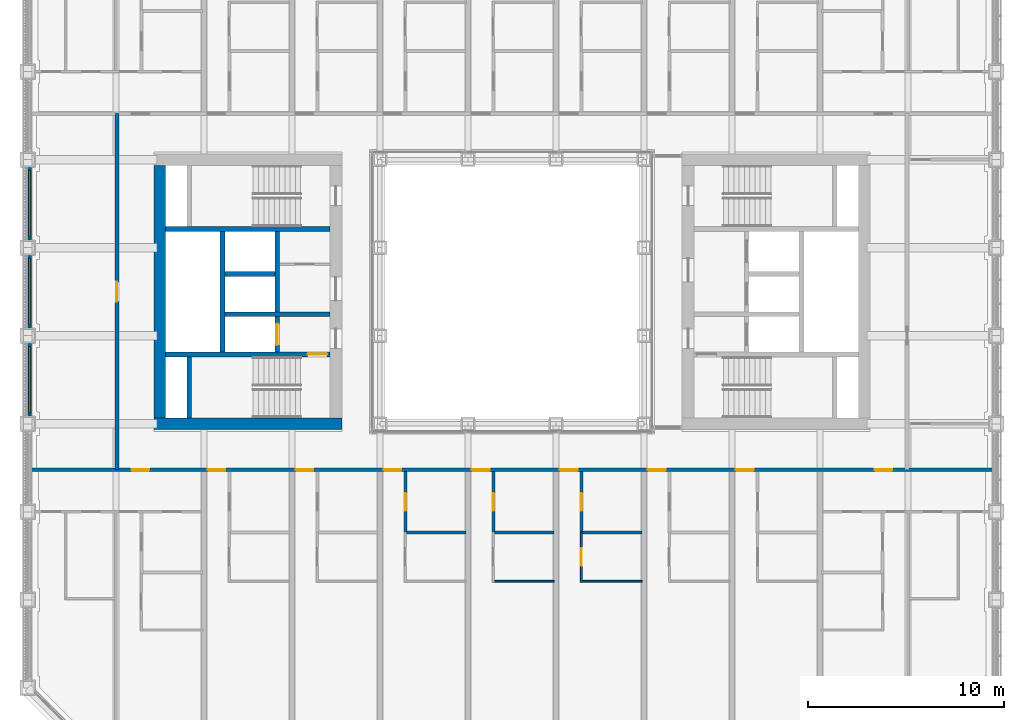
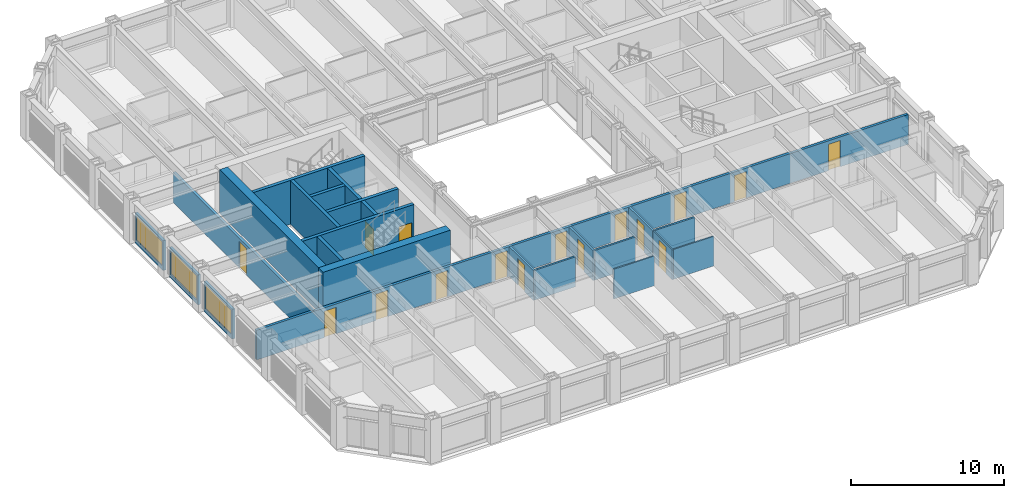
# One storey, part 10 of 21: 23 walls, 16 doors, 3 windows, 19 openings.
"""IFC4 building model written with IfcOpenShell, lengths in metres."""

from ifc_helpers import new_model, si_unit, direction, frame, frame_2d, origin, place, context, subcontext, project, spatial, rectangle, extrude, material, layer, layer_set, type_object, element, fill, save


model = new_model("IFC4")

# Units and contexts
model_context = context("Model", 3, precision=1e-05, world=origin(), true_north=direction((0.0, 1.0)))
body_context = subcontext(model_context, "Body", "Model", "MODEL_VIEW")
ifc_project = project(units=[si_unit("LENGTHUNIT", "METRE"), si_unit("AREAUNIT", "SQUARE_METRE"), si_unit("VOLUMEUNIT", "CUBIC_METRE"), si_unit("PLANEANGLEUNIT", "RADIAN"), si_unit("MASSUNIT", "GRAM", prefix="KILO")], contexts=[model_context])

# Site, building, storey
site_placement = place(None, origin())
site = spatial("IfcSite", under=ifc_project, at=site_placement, CompositionType="ELEMENT")
building_placement = place(site_placement, origin())
building = spatial("IfcBuilding", under=site, at=building_placement, Name="Msasa Ring Tower", CompositionType="ELEMENT")
storey_placement = place(building_placement, frame((0.0, 0.0, 30.0)))
storey = spatial("IfcBuildingStorey", under=building, at=storey_placement, Name="L06", CompositionType="ELEMENT", Elevation=30.0)

# Walls
ifc_material_1 = material(Name="Concrete C60/75", Category="concrete")
ifc_layer_1 = layer(ifc_material_1, 0.60009765625)
ifc_layer_set_1 = layer_set([ifc_layer_1], Name="CW1 CORE WALL 600")
wall_type_1 = type_object("IfcWallType", Name="CW1 CORE WALL 600", PredefinedType="SHEAR", material=ifc_layer_set_1)
wall_1_placement = place(storey_placement, frame((-8.699951171875, -6.75, 0.0), z_axis=(0.0, 0.0, 1.0), x_axis=(-1.0, 0.0, 0.0)))
element("IfcWall", 1, at=wall_1_placement, inside=storey, type_object=wall_type_1, Name="W core wall S L06", PredefinedType="SHEAR", context=body_context, shape_type="SweptSolid", body=[
    extrude(rectangle(XDim=9.60009765625, YDim=0.60009765625, at=frame_2d((4.800048828125, 0.0))), origin(), (0.0, 0.0, 1.0), 3.5),
])
wall_2_placement = place(storey_placement, frame((-18.0, -6.449951171875, 0.0), z_axis=(0.0, 0.0, 1.0), x_axis=(0.0, 1.0, 0.0)))
element("IfcWall", 2, at=wall_2_placement, inside=storey, type_object=wall_type_1, Name="W core wall E L06", PredefinedType="SHEAR", context=body_context, shape_type="SweptSolid", body=[
    extrude(rectangle(XDim=12.89990234375, YDim=0.60009765625, at=frame_2d((6.449951171875, 0.0))), origin(), (0.0, 0.0, 1.0), 3.5),
])

# Wall, opening, door
ifc_material_2 = material(Name="Concrete C60/75", Category="concrete")
ifc_layer_2 = layer(ifc_material_2, 0.25)
ifc_layer_set_2 = layer_set([ifc_layer_2], Name="CW4 CORE INNER WALL 250")
wall_type_2 = type_object("IfcWallType", Name="CW4 CORE INNER WALL 250", PredefinedType="SHEAR", material=ifc_layer_set_2)
wall_3_placement = place(storey_placement, frame((-9.300048828125, -3.199951171875, 0.0), z_axis=(0.0, 0.0, 1.0), x_axis=(-1.0, 0.0, 0.0)))
wall_3 = element("IfcWall", 3, at=wall_3_placement, inside=storey, type_object=wall_type_2, Name="W core wall STAIRA L06", PredefinedType="SHEAR", context=body_context, shape_type="SweptSolid", body=[
    extrude(rectangle(XDim=8.39990234375, YDim=0.25, at=frame_2d((4.199951171875, 0.0))), origin(), (0.0, 0.0, 1.0), 3.5),
])
opening_1_placement = place(wall_3_placement, frame((0.14990234375, 0.0, 0.0)))
opening_1 = element("IfcOpeningElement", 4, at=opening_1_placement, cuts=wall_3, Name="Opening RA-047", PredefinedType="OPENING", context=body_context, shape_type="SweptSolid", body=[
    extrude(rectangle(XDim=1.0, YDim=2.10009765625, at=frame_2d((0.5, 1.050048828125))), frame((0.0, 0.135009765625, 0.0), z_axis=(0.0, -1.0, 0.0), x_axis=(1.0, 0.0, 0.0)), (0.0, 0.0, 1.0), 0.27001953125),
])
ifc_material_3 = material(Name="Timber door leaf in a steel frame", Category="steel")
door_type_1 = type_object("IfcDoorType", Name="D6 STAIR DOOR 1000x2100", OperationType="SINGLE_SWING_LEFT", PredefinedType="DOOR", material=ifc_material_3)
door_1_placement = place(opening_1_placement, origin())
door_1 = element("IfcDoor", 5, at=door_1_placement, inside=storey, type_object=door_type_1, Name="Door L06-WSTA", OperationType="SINGLE_SWING_LEFT", OverallHeight=2.10009765625, OverallWidth=1.0, PredefinedType="DOOR", context=body_context, shape_type="SweptSolid", body=[
    extrude(rectangle(XDim=1.0, YDim=2.10009765625, at=frame_2d((0.5, 1.050048828125))), frame((0.0, 0.02490234375, 0.0), z_axis=(0.0, -1.0, 0.0), x_axis=(1.0, 0.0, 0.0)), (0.0, 0.0, 1.0), 0.050048828125),
])
fill(opening_1, door_1)

# Walls
wall_4_placement = place(storey_placement, frame((-9.300048828125, 3.199951171875, 0.0), z_axis=(0.0, 0.0, 1.0), x_axis=(-1.0, 0.0, 0.0)))
element("IfcWall", 6, at=wall_4_placement, inside=storey, type_object=wall_type_2, Name="W core wall STAIRB L06", PredefinedType="SHEAR", context=body_context, shape_type="SweptSolid", body=[
    extrude(rectangle(XDim=8.39990234375, YDim=0.25, at=frame_2d((4.199951171875, 0.0))), origin(), (0.0, 0.0, 1.0), 3.5),
])
wall_5_placement = place(storey_placement, frame((-16.5, -6.449951171875, 0.0), z_axis=(0.0, 0.0, 1.0), x_axis=(0.0, 1.0, 0.0)))
element("IfcWall", 7, at=wall_5_placement, inside=storey, type_object=wall_type_2, Name="W core wall RISERA L06", PredefinedType="SHEAR", context=body_context, shape_type="SweptSolid", body=[
    extrude(rectangle(XDim=3.125, YDim=0.25, at=frame_2d((1.5625, 0.0))), origin(), (0.0, 0.0, 1.0), 3.5),
])
wall_6_placement = place(storey_placement, frame((-9.300048828125, -1.14990234375, 0.0), z_axis=(0.0, 0.0, 1.0), x_axis=(-1.0, 0.0, 0.0)))
element("IfcWall", 8, at=wall_6_placement, inside=storey, type_object=wall_type_2, Name="W core wall FFL L06", PredefinedType="SHEAR", context=body_context, shape_type="SweptSolid", body=[
    extrude(rectangle(XDim=5.375, YDim=0.25, at=frame_2d((2.6875, 0.0))), origin(), (0.0, 0.0, 1.0), 3.5),
])

# Wall, opening, door
wall_7_placement = place(storey_placement, frame((-12.0, -3.074951171875, 0.0), z_axis=(0.0, 0.0, 1.0), x_axis=(0.0, 1.0, 0.0)))
wall_7 = element("IfcWall", 9, at=wall_7_placement, inside=storey, type_object=wall_type_2, Name="W core wall LOBBY L06", PredefinedType="SHEAR", context=body_context, shape_type="SweptSolid", body=[
    extrude(rectangle(XDim=6.14990234375, YDim=0.25, at=frame_2d((3.074951171875, 0.0))), origin(), (0.0, 0.0, 1.0), 3.5),
])
opening_2_placement = place(wall_7_placement, frame((0.35009765625, 0.0, 0.0)))
opening_2 = element("IfcOpeningElement", 10, at=opening_2_placement, cuts=wall_7, Name="Opening LD1", PredefinedType="OPENING", context=body_context, shape_type="SweptSolid", body=[
    extrude(rectangle(XDim=1.10009765625, YDim=2.10009765625, at=frame_2d((0.550048828125, 1.050048828125))), frame((0.0, 0.135009765625, 0.0), z_axis=(0.0, -1.0, 0.0), x_axis=(1.0, 0.0, 0.0)), (0.0, 0.0, 1.0), 0.27001953125),
])
ifc_material_4 = material(Name="Stainless steel lift landing door", Category="steel")
door_type_2 = type_object("IfcDoorType", Name="LD1 LIFT LANDING DOOR 1100x2100", OperationType="DOUBLE_DOOR_SLIDING", PredefinedType="DOOR", material=ifc_material_4)
door_2_placement = place(opening_2_placement, origin())
door_2 = element("IfcDoor", 11, at=door_2_placement, inside=storey, type_object=door_type_2, Name="Lift landing door FL-W L06", OperationType="DOUBLE_DOOR_SLIDING", OverallHeight=2.10009765625, OverallWidth=1.10009765625, PredefinedType="DOOR", context=body_context, shape_type="SweptSolid", body=[
    extrude(rectangle(XDim=1.10009765625, YDim=2.10009765625, at=frame_2d((0.550048828125, 1.050048828125))), frame((0.0, 0.02490234375, 0.0), z_axis=(0.0, -1.0, 0.0), x_axis=(1.0, 0.0, 0.0)), (0.0, 0.0, 1.0), 0.050048828125),
])
fill(opening_2, door_2)

# Walls
wall_8_placement = place(storey_placement, frame((-14.800048828125, -3.074951171875, 0.0), z_axis=(0.0, 0.0, 1.0), x_axis=(0.0, 1.0, 0.0)))
element("IfcWall", 12, at=wall_8_placement, inside=storey, type_object=wall_type_2, Name="W core wall SHAFT L06", PredefinedType="SHEAR", context=body_context, shape_type="SweptSolid", body=[
    extrude(rectangle(XDim=6.14990234375, YDim=0.25, at=frame_2d((3.074951171875, 0.0))), origin(), (0.0, 0.0, 1.0), 3.5),
])
wall_9_placement = place(storey_placement, frame((-12.125, 0.89990234375, 0.0), z_axis=(0.0, 0.0, 1.0), x_axis=(-1.0, 0.0, 0.0)))
element("IfcWall", 13, at=wall_9_placement, inside=storey, type_object=wall_type_2, Name="W core wall LIFT1 L06", PredefinedType="SHEAR", context=body_context, shape_type="SweptSolid", body=[
    extrude(rectangle(XDim=2.550048828125, YDim=0.25, at=frame_2d((1.27490234375, 0.0))), origin(), (0.0, 0.0, 1.0), 3.5),
])

# Wall, opening, window
ifc_material_5 = material(Name="Terracotta rainscreen on blockwork", Category="masonry")
ifc_layer_3 = layer(ifc_material_5, 0.199951171875)
ifc_layer_set_3 = layer_set([ifc_layer_3], Name="FW1 TERRACOTTA-LINED INFILL BAY WALL 200")
wall_type_3 = type_object("IfcWallType", Name="FW1 TERRACOTTA-LINED INFILL BAY WALL 200", PredefinedType="SOLIDWALL", material=ifc_layer_set_3)
wall_10_placement = place(storey_placement, frame((-24.64990234375, -6.344970703125, 0.0), z_axis=(0.0, 0.0, 1.0), x_axis=(0.0, 1.0, 0.0)))
wall_10 = element("IfcWall", 14, at=wall_10_placement, inside=storey, type_object=wall_type_3, Name="Infill bay wall W L06 36", PredefinedType="SOLIDWALL", context=body_context, shape_type="SweptSolid", body=[
    extrude(rectangle(XDim=3.68994140625, YDim=0.199951171875, at=frame_2d((1.844970703125, 0.0))), origin(), (0.0, 0.0, 1.0), 2.37890625),
])
opening_3_placement = place(wall_10_placement, frame((0.14501953125, 0.0, 0.300048828125)))
opening_3 = element("IfcOpeningElement", 15, at=opening_3_placement, cuts=wall_10, Name="Opening WN1", PredefinedType="OPENING", context=body_context, shape_type="SweptSolid", body=[
    extrude(rectangle(XDim=3.39990234375, YDim=1.928955078125, at=frame_2d((1.699951171875, 0.96435546875))), frame((0.0, 0.10986328125, 0.0), z_axis=(0.0, -1.0, 0.0), x_axis=(1.0, 0.0, 0.0)), (0.0, 0.0, 1.0), 0.219970703125),
])
ifc_material_6 = material(Name="Aluminium frame with clear glass", Category="aluminium")
window_type = type_object("IfcWindowType", Name="WN1 RESIDENCE WINDOW 3400x1929", PartitioningType="SINGLE_PANEL", PredefinedType="WINDOW", material=ifc_material_6)
window_1_placement = place(opening_3_placement, origin())
window_1 = element("IfcWindow", 16, at=window_1_placement, inside=storey, type_object=window_type, Name="Window W L06 36", OverallHeight=1.928955078125, OverallWidth=3.39990234375, PartitioningType="SINGLE_PANEL", PredefinedType="WINDOW", context=body_context, shape_type="SweptSolid", body=[
    extrude(rectangle(XDim=3.39990234375, YDim=1.928955078125, at=frame_2d((1.699951171875, 0.96435546875))), frame((0.0, 0.030029296875, 0.0), z_axis=(0.0, -1.0, 0.0), x_axis=(1.0, 0.0, 0.0)), (0.0, 0.0, 1.0), 0.06005859375),
])
fill(opening_3, window_1)

wall_11_placement = place(storey_placement, frame((-24.64990234375, -1.844970703125, 0.0), z_axis=(0.0, 0.0, 1.0), x_axis=(0.0, 1.0, 0.0)))
wall_11 = element("IfcWall", 17, at=wall_11_placement, inside=storey, type_object=wall_type_3, Name="Infill bay wall W L06 37", PredefinedType="SOLIDWALL", context=body_context, shape_type="SweptSolid", body=[
    extrude(rectangle(XDim=3.68994140625, YDim=0.199951171875, at=frame_2d((1.844970703125, 0.0))), origin(), (0.0, 0.0, 1.0), 2.37890625),
])
opening_4_placement = place(wall_11_placement, frame((0.14501953125, 0.0, 0.300048828125)))
opening_4 = element("IfcOpeningElement", 18, at=opening_4_placement, cuts=wall_11, Name="Opening WN1", PredefinedType="OPENING", context=body_context, shape_type="SweptSolid", body=[
    extrude(rectangle(XDim=3.39990234375, YDim=1.928955078125, at=frame_2d((1.699951171875, 0.96435546875))), frame((0.0, 0.10986328125, 0.0), z_axis=(0.0, -1.0, 0.0), x_axis=(1.0, 0.0, 0.0)), (0.0, 0.0, 1.0), 0.219970703125),
])
window_2_placement = place(opening_4_placement, origin())
window_2 = element("IfcWindow", 19, at=window_2_placement, inside=storey, type_object=window_type, Name="Window W L06 37", OverallHeight=1.928955078125, OverallWidth=3.39990234375, PartitioningType="SINGLE_PANEL", PredefinedType="WINDOW", context=body_context, shape_type="SweptSolid", body=[
    extrude(rectangle(XDim=3.39990234375, YDim=1.928955078125, at=frame_2d((1.699951171875, 0.96435546875))), frame((0.0, 0.030029296875, 0.0), z_axis=(0.0, -1.0, 0.0), x_axis=(1.0, 0.0, 0.0)), (0.0, 0.0, 1.0), 0.06005859375),
])
fill(opening_4, window_2)

wall_12_placement = place(storey_placement, frame((-24.64990234375, 2.655029296875, 0.0), z_axis=(0.0, 0.0, 1.0), x_axis=(0.0, 1.0, 0.0)))
wall_12 = element("IfcWall", 20, at=wall_12_placement, inside=storey, type_object=wall_type_3, Name="Infill bay wall W L06 38", PredefinedType="SOLIDWALL", context=body_context, shape_type="SweptSolid", body=[
    extrude(rectangle(XDim=3.68994140625, YDim=0.199951171875, at=frame_2d((1.844970703125, 0.0))), origin(), (0.0, 0.0, 1.0), 2.37890625),
])
opening_5_placement = place(wall_12_placement, frame((0.14501953125, 0.0, 0.300048828125)))
opening_5 = element("IfcOpeningElement", 21, at=opening_5_placement, cuts=wall_12, Name="Opening WN1", PredefinedType="OPENING", context=body_context, shape_type="SweptSolid", body=[
    extrude(rectangle(XDim=3.39990234375, YDim=1.928955078125, at=frame_2d((1.699951171875, 0.96435546875))), frame((0.0, 0.10986328125, 0.0), z_axis=(0.0, -1.0, 0.0), x_axis=(1.0, 0.0, 0.0)), (0.0, 0.0, 1.0), 0.219970703125),
])
window_3_placement = place(opening_5_placement, origin())
window_3 = element("IfcWindow", 22, at=window_3_placement, inside=storey, type_object=window_type, Name="Window W L06 38", OverallHeight=1.928955078125, OverallWidth=3.39990234375, PartitioningType="SINGLE_PANEL", PredefinedType="WINDOW", context=body_context, shape_type="SweptSolid", body=[
    extrude(rectangle(XDim=3.39990234375, YDim=1.928955078125, at=frame_2d((1.699951171875, 0.96435546875))), frame((0.0, 0.030029296875, 0.0), z_axis=(0.0, -1.0, 0.0), x_axis=(1.0, 0.0, 0.0)), (0.0, 0.0, 1.0), 0.06005859375),
])
fill(opening_5, window_3)

# Wall, openings, doors
ifc_material_7 = material(Name="Concrete blockwork", Category="masonry")
ifc_layer_4 = layer(ifc_material_7, 0.199951171875)
ifc_layer_set_4 = layer_set([ifc_layer_4], Name="PT1 CORRIDOR WALL 200")
wall_type_4 = type_object("IfcWallType", Name="PT1 CORRIDOR WALL 200", PredefinedType="PARTITIONING", material=ifc_layer_set_4)
wall_13_placement = place(storey_placement, frame((-24.550048828125, -9.10009765625, 0.0), z_axis=(0.0, 0.0, 1.0), x_axis=(1.0, 0.0, 0.0)))
wall_13 = element("IfcWall", 23, at=wall_13_placement, inside=storey, type_object=wall_type_4, Name="Corridor wall L06-CORRS0", PredefinedType="PARTITIONING", context=body_context, shape_type="SweptSolid", body=[
    extrude(rectangle(XDim=49.10009765625, YDim=0.199951171875, at=frame_2d((24.550048828125, 0.0))), origin(), (0.0, 0.0, 1.0), 2.373291015625),
])
opening_6_placement = place(wall_13_placement, frame((5.10009765625, 0.0, 0.0)))
opening_6 = element("IfcOpeningElement", 24, at=opening_6_placement, cuts=wall_13, Name="Opening RA-051", PredefinedType="OPENING", context=body_context, shape_type="SweptSolid", body=[
    extrude(rectangle(XDim=0.89990234375, YDim=2.10009765625, at=frame_2d((0.449951171875, 1.050048828125))), frame((0.0, 0.10986328125, 0.0), z_axis=(0.0, -1.0, 0.0), x_axis=(1.0, 0.0, 0.0)), (0.0, 0.0, 1.0), 0.219970703125),
])
opening_7_placement = place(wall_13_placement, frame((9.0, 0.0, 0.0)))
opening_7 = element("IfcOpeningElement", 25, at=opening_7_placement, cuts=wall_13, Name="Opening RA-052", PredefinedType="OPENING", context=body_context, shape_type="SweptSolid", body=[
    extrude(rectangle(XDim=0.89990234375, YDim=2.10009765625, at=frame_2d((0.449951171875, 1.050048828125))), frame((0.0, 0.10986328125, 0.0), z_axis=(0.0, -1.0, 0.0), x_axis=(1.0, 0.0, 0.0)), (0.0, 0.0, 1.0), 0.219970703125),
])
opening_8_placement = place(wall_13_placement, frame((13.5, 0.0, 0.0)))
opening_8 = element("IfcOpeningElement", 26, at=opening_8_placement, cuts=wall_13, Name="Opening RA-053", PredefinedType="OPENING", context=body_context, shape_type="SweptSolid", body=[
    extrude(rectangle(XDim=0.89990234375, YDim=2.10009765625, at=frame_2d((0.449951171875, 1.050048828125))), frame((0.0, 0.10986328125, 0.0), z_axis=(0.0, -1.0, 0.0), x_axis=(1.0, 0.0, 0.0)), (0.0, 0.0, 1.0), 0.219970703125),
])
opening_9_placement = place(wall_13_placement, frame((18.0, 0.0, 0.0)))
opening_9 = element("IfcOpeningElement", 27, at=opening_9_placement, cuts=wall_13, Name="Opening RA-054", PredefinedType="OPENING", context=body_context, shape_type="SweptSolid", body=[
    extrude(rectangle(XDim=0.89990234375, YDim=2.10009765625, at=frame_2d((0.449951171875, 1.050048828125))), frame((0.0, 0.10986328125, 0.0), z_axis=(0.0, -1.0, 0.0), x_axis=(1.0, 0.0, 0.0)), (0.0, 0.0, 1.0), 0.219970703125),
])
opening_10_placement = place(wall_13_placement, frame((22.5, 0.0, 0.0)))
opening_10 = element("IfcOpeningElement", 28, at=opening_10_placement, cuts=wall_13, Name="Opening RA-055", PredefinedType="OPENING", context=body_context, shape_type="SweptSolid", body=[
    extrude(rectangle(XDim=0.89990234375, YDim=2.10009765625, at=frame_2d((0.449951171875, 1.050048828125))), frame((0.0, 0.10986328125, 0.0), z_axis=(0.0, -1.0, 0.0), x_axis=(1.0, 0.0, 0.0)), (0.0, 0.0, 1.0), 0.219970703125),
])
opening_11_placement = place(wall_13_placement, frame((27.0, 0.0, 0.0)))
opening_11 = element("IfcOpeningElement", 29, at=opening_11_placement, cuts=wall_13, Name="Opening RA-056", PredefinedType="OPENING", context=body_context, shape_type="SweptSolid", body=[
    extrude(rectangle(XDim=0.89990234375, YDim=2.10009765625, at=frame_2d((0.449951171875, 1.050048828125))), frame((0.0, 0.10986328125, 0.0), z_axis=(0.0, -1.0, 0.0), x_axis=(1.0, 0.0, 0.0)), (0.0, 0.0, 1.0), 0.219970703125),
])
opening_12_placement = place(wall_13_placement, frame((31.5, 0.0, 0.0)))
opening_12 = element("IfcOpeningElement", 30, at=opening_12_placement, cuts=wall_13, Name="Opening RA-057", PredefinedType="OPENING", context=body_context, shape_type="SweptSolid", body=[
    extrude(rectangle(XDim=0.89990234375, YDim=2.10009765625, at=frame_2d((0.449951171875, 1.050048828125))), frame((0.0, 0.10986328125, 0.0), z_axis=(0.0, -1.0, 0.0), x_axis=(1.0, 0.0, 0.0)), (0.0, 0.0, 1.0), 0.219970703125),
])
opening_13_placement = place(wall_13_placement, frame((36.0, 0.0, 0.0)))
opening_13 = element("IfcOpeningElement", 31, at=opening_13_placement, cuts=wall_13, Name="Opening RA-058", PredefinedType="OPENING", context=body_context, shape_type="SweptSolid", body=[
    extrude(rectangle(XDim=0.89990234375, YDim=2.10009765625, at=frame_2d((0.449951171875, 1.050048828125))), frame((0.0, 0.10986328125, 0.0), z_axis=(0.0, -1.0, 0.0), x_axis=(1.0, 0.0, 0.0)), (0.0, 0.0, 1.0), 0.219970703125),
])
opening_14_placement = place(wall_13_placement, frame((43.10009765625, 0.0, 0.0)))
opening_14 = element("IfcOpeningElement", 32, at=opening_14_placement, cuts=wall_13, Name="Opening RA-059", PredefinedType="OPENING", context=body_context, shape_type="SweptSolid", body=[
    extrude(rectangle(XDim=0.89990234375, YDim=2.10009765625, at=frame_2d((0.449951171875, 1.050048828125))), frame((0.0, 0.10986328125, 0.0), z_axis=(0.0, -1.0, 0.0), x_axis=(1.0, 0.0, 0.0)), (0.0, 0.0, 1.0), 0.219970703125),
])
ifc_material_8 = material(Name="Timber door leaf in a steel frame", Category="steel")
door_type_3 = type_object("IfcDoorType", Name="D2 ENTRANCE DOOR 900x2100", OperationType="SINGLE_SWING_LEFT", PredefinedType="DOOR", material=ifc_material_8)
door_3_placement = place(opening_6_placement, origin())
door_3 = element("IfcDoor", 33, at=door_3_placement, inside=storey, type_object=door_type_3, Name="Door L06-US00", OperationType="SINGLE_SWING_LEFT", OverallHeight=2.10009765625, OverallWidth=0.89990234375, PredefinedType="DOOR", context=body_context, shape_type="SweptSolid", body=[
    extrude(rectangle(XDim=0.89990234375, YDim=2.10009765625, at=frame_2d((0.449951171875, 1.050048828125))), frame((0.0, 0.02490234375, 0.0), z_axis=(0.0, -1.0, 0.0), x_axis=(1.0, 0.0, 0.0)), (0.0, 0.0, 1.0), 0.050048828125),
])
fill(opening_6, door_3)
door_4_placement = place(opening_7_placement, origin())
door_4 = element("IfcDoor", 34, at=door_4_placement, inside=storey, type_object=door_type_3, Name="Door L06-US01", OperationType="SINGLE_SWING_LEFT", OverallHeight=2.10009765625, OverallWidth=0.89990234375, PredefinedType="DOOR", context=body_context, shape_type="SweptSolid", body=[
    extrude(rectangle(XDim=0.89990234375, YDim=2.10009765625, at=frame_2d((0.449951171875, 1.050048828125))), frame((0.0, 0.02490234375, 0.0), z_axis=(0.0, -1.0, 0.0), x_axis=(1.0, 0.0, 0.0)), (0.0, 0.0, 1.0), 0.050048828125),
])
fill(opening_7, door_4)
door_5_placement = place(opening_8_placement, origin())
door_5 = element("IfcDoor", 35, at=door_5_placement, inside=storey, type_object=door_type_3, Name="Door L06-US02", OperationType="SINGLE_SWING_LEFT", OverallHeight=2.10009765625, OverallWidth=0.89990234375, PredefinedType="DOOR", context=body_context, shape_type="SweptSolid", body=[
    extrude(rectangle(XDim=0.89990234375, YDim=2.10009765625, at=frame_2d((0.449951171875, 1.050048828125))), frame((0.0, 0.02490234375, 0.0), z_axis=(0.0, -1.0, 0.0), x_axis=(1.0, 0.0, 0.0)), (0.0, 0.0, 1.0), 0.050048828125),
])
fill(opening_8, door_5)
door_6_placement = place(opening_9_placement, origin())
door_6 = element("IfcDoor", 36, at=door_6_placement, inside=storey, type_object=door_type_3, Name="Door L06-US03", OperationType="SINGLE_SWING_LEFT", OverallHeight=2.10009765625, OverallWidth=0.89990234375, PredefinedType="DOOR", context=body_context, shape_type="SweptSolid", body=[
    extrude(rectangle(XDim=0.89990234375, YDim=2.10009765625, at=frame_2d((0.449951171875, 1.050048828125))), frame((0.0, 0.02490234375, 0.0), z_axis=(0.0, -1.0, 0.0), x_axis=(1.0, 0.0, 0.0)), (0.0, 0.0, 1.0), 0.050048828125),
])
fill(opening_9, door_6)
door_7_placement = place(opening_10_placement, origin())
door_7 = element("IfcDoor", 37, at=door_7_placement, inside=storey, type_object=door_type_3, Name="Door L06-US04", OperationType="SINGLE_SWING_LEFT", OverallHeight=2.10009765625, OverallWidth=0.89990234375, PredefinedType="DOOR", context=body_context, shape_type="SweptSolid", body=[
    extrude(rectangle(XDim=0.89990234375, YDim=2.10009765625, at=frame_2d((0.449951171875, 1.050048828125))), frame((0.0, 0.02490234375, 0.0), z_axis=(0.0, -1.0, 0.0), x_axis=(1.0, 0.0, 0.0)), (0.0, 0.0, 1.0), 0.050048828125),
])
fill(opening_10, door_7)
door_8_placement = place(opening_11_placement, origin())
door_8 = element("IfcDoor", 38, at=door_8_placement, inside=storey, type_object=door_type_3, Name="Door L06-US05", OperationType="SINGLE_SWING_RIGHT", OverallHeight=2.10009765625, OverallWidth=0.89990234375, PredefinedType="DOOR", context=body_context, shape_type="SweptSolid", body=[
    extrude(rectangle(XDim=0.89990234375, YDim=2.10009765625, at=frame_2d((0.449951171875, 1.050048828125))), frame((0.0, 0.02490234375, 0.0), z_axis=(0.0, -1.0, 0.0), x_axis=(1.0, 0.0, 0.0)), (0.0, 0.0, 1.0), 0.050048828125),
])
fill(opening_11, door_8)
door_9_placement = place(opening_12_placement, origin())
door_9 = element("IfcDoor", 39, at=door_9_placement, inside=storey, type_object=door_type_3, Name="Door L06-US06", OperationType="SINGLE_SWING_RIGHT", OverallHeight=2.10009765625, OverallWidth=0.89990234375, PredefinedType="DOOR", context=body_context, shape_type="SweptSolid", body=[
    extrude(rectangle(XDim=0.89990234375, YDim=2.10009765625, at=frame_2d((0.449951171875, 1.050048828125))), frame((0.0, 0.02490234375, 0.0), z_axis=(0.0, -1.0, 0.0), x_axis=(1.0, 0.0, 0.0)), (0.0, 0.0, 1.0), 0.050048828125),
])
fill(opening_12, door_9)
door_10_placement = place(opening_13_placement, origin())
door_10 = element("IfcDoor", 40, at=door_10_placement, inside=storey, type_object=door_type_3, Name="Door L06-US07", OperationType="SINGLE_SWING_RIGHT", OverallHeight=2.10009765625, OverallWidth=0.89990234375, PredefinedType="DOOR", context=body_context, shape_type="SweptSolid", body=[
    extrude(rectangle(XDim=0.89990234375, YDim=2.10009765625, at=frame_2d((0.449951171875, 1.050048828125))), frame((0.0, 0.02490234375, 0.0), z_axis=(0.0, -1.0, 0.0), x_axis=(1.0, 0.0, 0.0)), (0.0, 0.0, 1.0), 0.050048828125),
])
fill(opening_13, door_10)
door_11_placement = place(opening_14_placement, origin())
door_11 = element("IfcDoor", 41, at=door_11_placement, inside=storey, type_object=door_type_3, Name="Door L06-US08", OperationType="SINGLE_SWING_RIGHT", OverallHeight=2.10009765625, OverallWidth=0.89990234375, PredefinedType="DOOR", context=body_context, shape_type="SweptSolid", body=[
    extrude(rectangle(XDim=0.89990234375, YDim=2.10009765625, at=frame_2d((0.449951171875, 1.050048828125))), frame((0.0, 0.02490234375, 0.0), z_axis=(0.0, -1.0, 0.0), x_axis=(1.0, 0.0, 0.0)), (0.0, 0.0, 1.0), 0.050048828125),
])
fill(opening_14, door_11)

# Wall, opening, door
wall_14_placement = place(storey_placement, frame((-20.199951171875, -9.10009765625, 0.0), z_axis=(0.0, 0.0, 1.0), x_axis=(0.0, 1.0, 0.0)))
wall_14 = element("IfcWall", 42, at=wall_14_placement, inside=storey, type_object=wall_type_4, Name="Corridor wall L06-STRW", PredefinedType="PARTITIONING", context=body_context, shape_type="SweptSolid", body=[
    extrude(rectangle(XDim=18.2001953125, YDim=0.199951171875, at=frame_2d((9.10009765625, 0.0))), origin(), (0.0, 0.0, 1.0), 2.373291015625),
])
opening_15_placement = place(wall_14_placement, frame((8.60009765625, 0.0, 0.0)))
opening_15 = element("IfcOpeningElement", 43, at=opening_15_placement, cuts=wall_14, Name="Opening RA-043", PredefinedType="OPENING", context=body_context, shape_type="SweptSolid", body=[
    extrude(rectangle(XDim=1.0, YDim=2.10009765625, at=frame_2d((0.5, 1.050048828125))), frame((0.0, 0.10986328125, 0.0), z_axis=(0.0, -1.0, 0.0), x_axis=(1.0, 0.0, 0.0)), (0.0, 0.0, 1.0), 0.219970703125),
])
ifc_material_9 = material(Name="Timber door leaf in a steel frame", Category="steel")
door_type_4 = type_object("IfcDoorType", Name="D10 STORE DOOR 1000x2100", OperationType="SINGLE_SWING_LEFT", PredefinedType="DOOR", material=ifc_material_9)
door_12_placement = place(opening_15_placement, origin())
door_12 = element("IfcDoor", 44, at=door_12_placement, inside=storey, type_object=door_type_4, Name="Door L06-RSW", OperationType="SINGLE_SWING_LEFT", OverallHeight=2.10009765625, OverallWidth=1.0, PredefinedType="DOOR", context=body_context, shape_type="SweptSolid", body=[
    extrude(rectangle(XDim=1.0, YDim=2.10009765625, at=frame_2d((0.5, 1.050048828125))), frame((0.0, 0.02490234375, 0.0), z_axis=(0.0, -1.0, 0.0), x_axis=(1.0, 0.0, 0.0)), (0.0, 0.0, 1.0), 0.050048828125),
])
fill(opening_15, door_12)

# Walls
ifc_material_10 = material(Name="Gypsum board on steel studs", Category="steel")
ifc_layer_5 = layer(ifc_material_10, 0.10009765625)
ifc_layer_set_5 = layer_set([ifc_layer_5], Name="PT2 STUD PARTITION 100")
wall_type_5 = type_object("IfcWallType", Name="PT2 STUD PARTITION 100", PredefinedType="PARTITIONING", material=ifc_layer_set_5)
for number, where, z_axis, x_axis, name in (
    (45, (-0.89990234375, -14.800048828125, 0.0), (0.0, 0.0, 1.0), (1.0, 0.0, 0.0), "Partition L06-US04KY"),
    (46, (3.60009765625, -14.800048828125, 0.0), (0.0, 0.0, 1.0), (1.0, 0.0, 0.0), "Partition L06-US05KY"),
):
    element("IfcWall", number, at=place(storey_placement, frame(where, z_axis=z_axis, x_axis=x_axis)), inside=storey, type_object=wall_type_5, Name=name, PredefinedType="PARTITIONING", context=body_context, shape_type="SweptSolid", body=[
        extrude(rectangle(XDim=3.0498046875, YDim=0.10009765625, at=frame_2d((1.52490234375, 0.0))), origin(), (0.0, 0.0, 1.0), 2.373291015625),
    ])

# Wall, opening, door
wall_15_placement = place(storey_placement, frame((3.550048828125, -14.85009765625, 0.0), z_axis=(0.0, 0.0, 1.0), x_axis=(0.0, 1.0, 0.0)))
wall_15 = element("IfcWall", 47, at=wall_15_placement, inside=storey, type_object=wall_type_5, Name="Partition L06-US05KX", PredefinedType="PARTITIONING", context=body_context, shape_type="SweptSolid", body=[
    extrude(rectangle(XDim=2.550048828125, YDim=0.10009765625, at=frame_2d((1.27490234375, 0.0))), origin(), (0.0, 0.0, 1.0), 2.373291015625),
])
opening_16_placement = place(wall_15_placement, frame((0.840087890625, 0.0, 0.0)))
opening_16 = element("IfcOpeningElement", 48, at=opening_16_placement, cuts=wall_15, Name="Opening RA-081", PredefinedType="OPENING", context=body_context, shape_type="SweptSolid", body=[
    extrude(rectangle(XDim=0.89990234375, YDim=2.10009765625, at=frame_2d((0.449951171875, 1.050048828125))), frame((0.0, 0.06005859375, 0.0), z_axis=(0.0, -1.0, 0.0), x_axis=(1.0, 0.0, 0.0)), (0.0, 0.0, 1.0), 0.1201171875),
])
ifc_material_11 = material(Name="Timber door leaf in a steel frame", Category="steel")
door_type_5 = type_object("IfcDoorType", Name="D22 INTERNAL HALL DOOR 900x2100", OperationType="SINGLE_SWING_LEFT", PredefinedType="DOOR", material=ifc_material_11)
door_13_placement = place(opening_16_placement, origin())
door_13 = element("IfcDoor", 49, at=door_13_placement, inside=storey, type_object=door_type_5, Name="Door L06-US05K", OperationType="SINGLE_SWING_LEFT", OverallHeight=2.10009765625, OverallWidth=0.89990234375, PredefinedType="DOOR", context=body_context, shape_type="SweptSolid", body=[
    extrude(rectangle(XDim=0.89990234375, YDim=2.10009765625, at=frame_2d((0.449951171875, 1.050048828125))), frame((0.0, 0.02490234375, 0.0), z_axis=(0.0, -1.0, 0.0), x_axis=(1.0, 0.0, 0.0)), (0.0, 0.0, 1.0), 0.050048828125),
])
fill(opening_16, door_13)

ifc_material_12 = material(Name="Moisture-resistant board on steel studs with a concealed cistern and pipe void, tiled", Category="steel")
ifc_layer_6 = layer(ifc_material_12, 0.14990234375)
ifc_layer_set_6 = layer_set([ifc_layer_6], Name="PT4 BATHROOM WET WALL 150")
wall_type_6 = type_object("IfcWallType", Name="PT4 BATHROOM WET WALL 150", PredefinedType="PARTITIONING", material=ifc_layer_set_6)
wall_16_placement = place(storey_placement, frame((-5.449951171875, -12.35009765625, 0.0), z_axis=(0.0, 0.0, 1.0), x_axis=(0.0, 1.0, 0.0)))
wall_16 = element("IfcWall", 50, at=wall_16_placement, inside=storey, type_object=wall_type_6, Name="Partition L06-US03BX", PredefinedType="PARTITIONING", context=body_context, shape_type="SweptSolid", body=[
    extrude(rectangle(XDim=3.150146484375, YDim=0.14990234375, at=frame_2d((1.5751953125, 0.0))), origin(), (0.0, 0.0, 1.0), 2.373291015625),
])
opening_17_placement = place(wall_16_placement, frame((1.14990234375, 0.0, 0.0)))
opening_17 = element("IfcOpeningElement", 51, at=opening_17_placement, cuts=wall_16, Name="Opening RA-062", PredefinedType="OPENING", context=body_context, shape_type="SweptSolid", body=[
    extrude(rectangle(XDim=0.89990234375, YDim=2.10009765625, at=frame_2d((0.449951171875, 1.050048828125))), frame((0.0, 0.0849609375, 0.0), z_axis=(0.0, -1.0, 0.0), x_axis=(1.0, 0.0, 0.0)), (0.0, 0.0, 1.0), 0.169921875),
])
ifc_material_13 = material(Name="Timber door leaf in a steel frame", Category="steel")
door_type_6 = type_object("IfcDoorType", Name="D3 BATHROOM DOOR 900x2100", OperationType="SINGLE_SWING_LEFT", PredefinedType="DOOR", material=ifc_material_13)
door_14_placement = place(opening_17_placement, origin())
door_14 = element("IfcDoor", 52, at=door_14_placement, inside=storey, type_object=door_type_6, Name="Door L06-US03B", OperationType="SINGLE_SWING_LEFT", OverallHeight=2.10009765625, OverallWidth=0.89990234375, PredefinedType="DOOR", context=body_context, shape_type="SweptSolid", body=[
    extrude(rectangle(XDim=0.89990234375, YDim=2.10009765625, at=frame_2d((0.449951171875, 1.050048828125))), frame((0.0, 0.02490234375, 0.0), z_axis=(0.0, -1.0, 0.0), x_axis=(1.0, 0.0, 0.0)), (0.0, 0.0, 1.0), 0.050048828125),
])
fill(opening_17, door_14)

# Wall
wall_17_placement = place(storey_placement, frame((-5.39990234375, -12.300048828125, 0.0), z_axis=(0.0, 0.0, 1.0), x_axis=(1.0, 0.0, 0.0)))
element("IfcWall", 53, at=wall_17_placement, inside=storey, type_object=wall_type_6, Name="Partition L06-US03BY", PredefinedType="PARTITIONING", context=body_context, shape_type="SweptSolid", body=[
    extrude(rectangle(XDim=3.0498046875, YDim=0.14990234375, at=frame_2d((1.52490234375, 0.0))), origin(), (0.0, 0.0, 1.0), 2.373291015625),
])

# Wall, opening, door
wall_18_placement = place(storey_placement, frame((-0.949951171875, -12.35009765625, 0.0), z_axis=(0.0, 0.0, 1.0), x_axis=(0.0, 1.0, 0.0)))
wall_18 = element("IfcWall", 54, at=wall_18_placement, inside=storey, type_object=wall_type_6, Name="Partition L06-US04BX", PredefinedType="PARTITIONING", context=body_context, shape_type="SweptSolid", body=[
    extrude(rectangle(XDim=3.150146484375, YDim=0.14990234375, at=frame_2d((1.5751953125, 0.0))), origin(), (0.0, 0.0, 1.0), 2.373291015625),
])
opening_18_placement = place(wall_18_placement, frame((1.14990234375, 0.0, 0.0)))
opening_18 = element("IfcOpeningElement", 55, at=opening_18_placement, cuts=wall_18, Name="Opening RA-063", PredefinedType="OPENING", context=body_context, shape_type="SweptSolid", body=[
    extrude(rectangle(XDim=0.89990234375, YDim=2.10009765625, at=frame_2d((0.449951171875, 1.050048828125))), frame((0.0, 0.0849609375, 0.0), z_axis=(0.0, -1.0, 0.0), x_axis=(1.0, 0.0, 0.0)), (0.0, 0.0, 1.0), 0.169921875),
])
door_15_placement = place(opening_18_placement, origin())
door_15 = element("IfcDoor", 56, at=door_15_placement, inside=storey, type_object=door_type_6, Name="Door L06-US04B", OperationType="SINGLE_SWING_LEFT", OverallHeight=2.10009765625, OverallWidth=0.89990234375, PredefinedType="DOOR", context=body_context, shape_type="SweptSolid", body=[
    extrude(rectangle(XDim=0.89990234375, YDim=2.10009765625, at=frame_2d((0.449951171875, 1.050048828125))), frame((0.0, 0.02490234375, 0.0), z_axis=(0.0, -1.0, 0.0), x_axis=(1.0, 0.0, 0.0)), (0.0, 0.0, 1.0), 0.050048828125),
])
fill(opening_18, door_15)

# Wall
wall_19_placement = place(storey_placement, frame((-0.89990234375, -12.300048828125, 0.0), z_axis=(0.0, 0.0, 1.0), x_axis=(1.0, 0.0, 0.0)))
element("IfcWall", 57, at=wall_19_placement, inside=storey, type_object=wall_type_6, Name="Partition L06-US04BY", PredefinedType="PARTITIONING", context=body_context, shape_type="SweptSolid", body=[
    extrude(rectangle(XDim=3.0498046875, YDim=0.14990234375, at=frame_2d((1.52490234375, 0.0))), origin(), (0.0, 0.0, 1.0), 2.373291015625),
])

# Wall, opening, door
wall_20_placement = place(storey_placement, frame((3.550048828125, -12.35009765625, 0.0), z_axis=(0.0, 0.0, 1.0), x_axis=(0.0, 1.0, 0.0)))
wall_20 = element("IfcWall", 58, at=wall_20_placement, inside=storey, type_object=wall_type_6, Name="Partition L06-US05BX", PredefinedType="PARTITIONING", context=body_context, shape_type="SweptSolid", body=[
    extrude(rectangle(XDim=3.150146484375, YDim=0.14990234375, at=frame_2d((1.5751953125, 0.0))), origin(), (0.0, 0.0, 1.0), 2.373291015625),
])
opening_19_placement = place(wall_20_placement, frame((1.14990234375, 0.0, 0.0)))
opening_19 = element("IfcOpeningElement", 59, at=opening_19_placement, cuts=wall_20, Name="Opening RA-064", PredefinedType="OPENING", context=body_context, shape_type="SweptSolid", body=[
    extrude(rectangle(XDim=0.89990234375, YDim=2.10009765625, at=frame_2d((0.449951171875, 1.050048828125))), frame((0.0, 0.0849609375, 0.0), z_axis=(0.0, -1.0, 0.0), x_axis=(1.0, 0.0, 0.0)), (0.0, 0.0, 1.0), 0.169921875),
])
door_16_placement = place(opening_19_placement, origin())
door_16 = element("IfcDoor", 60, at=door_16_placement, inside=storey, type_object=door_type_6, Name="Door L06-US05B", OperationType="SINGLE_SWING_LEFT", OverallHeight=2.10009765625, OverallWidth=0.89990234375, PredefinedType="DOOR", context=body_context, shape_type="SweptSolid", body=[
    extrude(rectangle(XDim=0.89990234375, YDim=2.10009765625, at=frame_2d((0.449951171875, 1.050048828125))), frame((0.0, 0.02490234375, 0.0), z_axis=(0.0, -1.0, 0.0), x_axis=(1.0, 0.0, 0.0)), (0.0, 0.0, 1.0), 0.050048828125),
])
fill(opening_19, door_16)

# Wall
wall_21_placement = place(storey_placement, frame((3.60009765625, -12.300048828125, 0.0), z_axis=(0.0, 0.0, 1.0), x_axis=(1.0, 0.0, 0.0)))
element("IfcWall", 61, at=wall_21_placement, inside=storey, type_object=wall_type_6, Name="Partition L06-US05BY", PredefinedType="PARTITIONING", context=body_context, shape_type="SweptSolid", body=[
    extrude(rectangle(XDim=3.0498046875, YDim=0.14990234375, at=frame_2d((1.52490234375, 0.0))), origin(), (0.0, 0.0, 1.0), 2.373291015625),
])

save(model, "model.ifc")
